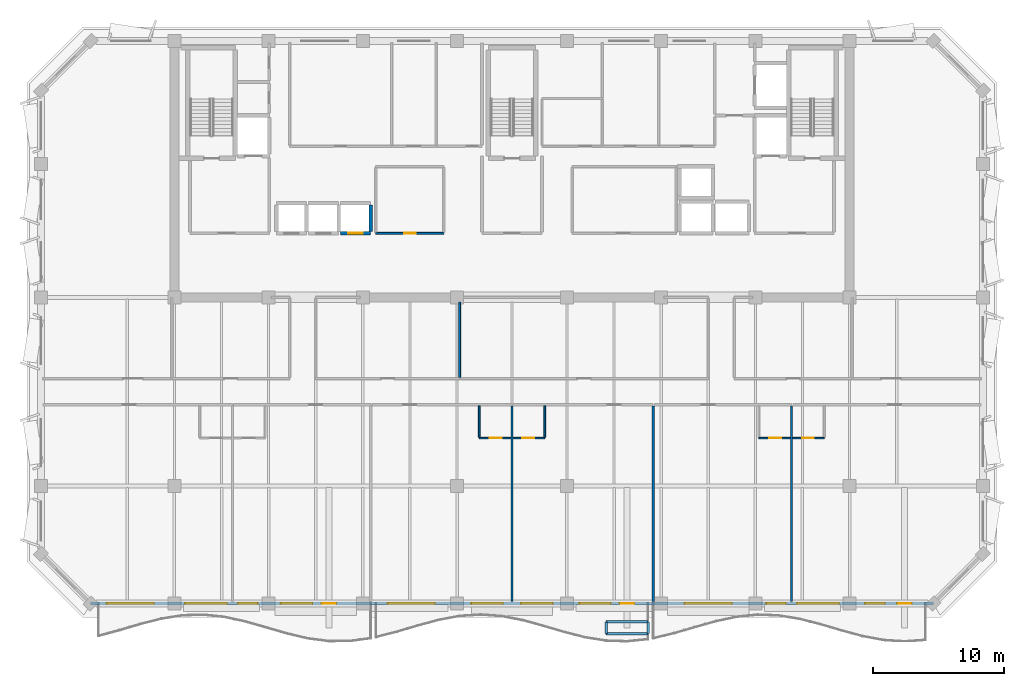
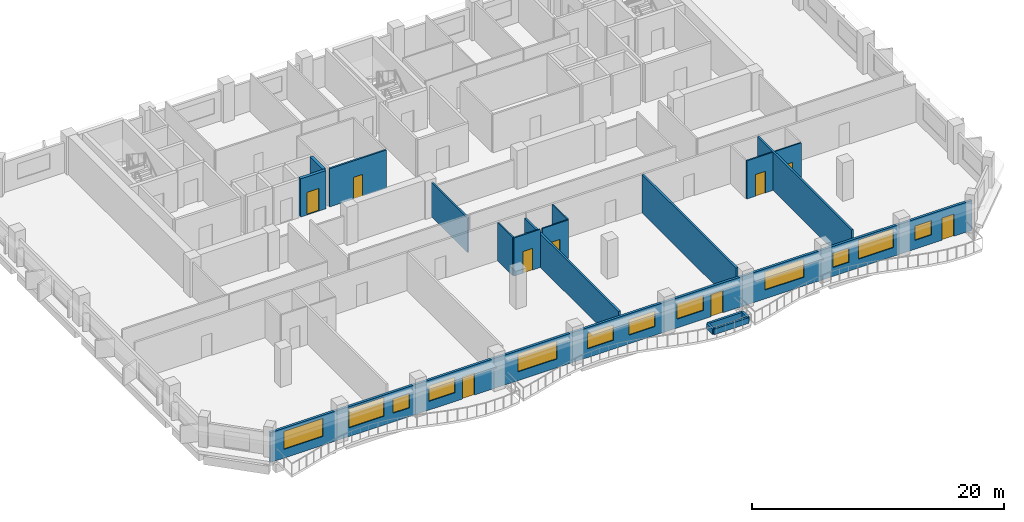
# One storey, part 4 of 10: 18 walls, 12 windows, 9 doors, 21 openings.
"""IFC4 building model written with IfcOpenShell, lengths in metres."""

from ifc_helpers import new_model, si_unit, direction, frame, frame_2d, origin, place, context, subcontext, project, spatial, rectangle, extrude, material, layer, layer_set, type_object, element, fill, save


model = new_model("IFC4")

# Units and contexts
model_context = context("Model", 3, precision=1e-05, world=origin(), true_north=direction((0.0, 1.0)))
body_context = subcontext(model_context, "Body", "Model", "MODEL_VIEW")
ifc_project = project(units=[si_unit("LENGTHUNIT", "METRE"), si_unit("AREAUNIT", "SQUARE_METRE"), si_unit("VOLUMEUNIT", "CUBIC_METRE"), si_unit("PLANEANGLEUNIT", "RADIAN"), si_unit("MASSUNIT", "GRAM", prefix="KILO")], contexts=[model_context])

# Site, building, storey
site_placement = place(None, origin())
site = spatial("IfcSite", under=ifc_project, at=site_placement, CompositionType="ELEMENT")
building_placement = place(site_placement, origin())
building = spatial("IfcBuilding", under=site, at=building_placement, Name="Kaelvorn Grand Hotel", CompositionType="ELEMENT")
storey_placement = place(building_placement, frame((0.0, 0.0, 260.75)))
storey = spatial("IfcBuildingStorey", under=building, at=storey_placement, Name="L64", CompositionType="ELEMENT", Elevation=260.75)

# Wall, openings, doors, windows
ifc_material_1 = material(Name="Concrete C40/50", Category="concrete")
ifc_layer_1 = layer(ifc_material_1, 0.219970703125)
ifc_layer_set_1 = layer_set([ifc_layer_1], Name="Concrete C40/50")
wall_type_1 = type_object("IfcWallType", Name="WL-EXT-220-C40", PredefinedType="SOLIDWALL", material=ifc_layer_set_1)
wall_1_placement = place(storey_placement, frame((9.800048828125, 6.0, 0.0), z_axis=(0.0, 0.0, 1.0), x_axis=(1.0, 0.0, 0.0)))
wall_1 = element("IfcWall", 1, at=wall_1_placement, inside=storey, type_object=wall_type_1, Name="L64 Exterior Architectural Concrete Wall 01", PredefinedType="SOLIDWALL", context=body_context, shape_type="SweptSolid", body=[
    extrude(rectangle(XDim=64.39990234375, YDim=0.219970703125, at=frame_2d((32.199951171875, 0.0))), origin(), (0.0, 0.0, 1.0), 2.909912109375),
])
opening_1_placement = place(wall_1_placement, frame((17.64990234375, 0.0, 0.0)))
opening_1 = element("IfcOpeningElement", 2, at=opening_1_placement, cuts=wall_1, Name="Opening DE2", PredefinedType="OPENING", context=body_context, shape_type="SweptSolid", body=[
    extrude(rectangle(XDim=1.10009765625, YDim=2.14990234375, at=frame_2d((0.550048828125, 1.074951171875))), frame((0.0, 0.1201171875, 0.0), z_axis=(0.0, -1.0, 0.0), x_axis=(1.0, 0.0, 0.0)), (0.0, 0.0, 1.0), 0.239990234375),
])
opening_2_placement = place(wall_1_placement, frame((40.449951171875, 0.0, 0.0)))
opening_2 = element("IfcOpeningElement", 3, at=opening_2_placement, cuts=wall_1, Name="Opening DE2", PredefinedType="OPENING", context=body_context, shape_type="SweptSolid", body=[
    extrude(rectangle(XDim=1.10009765625, YDim=2.14990234375, at=frame_2d((0.550048828125, 1.074951171875))), frame((0.0, 0.1201171875, 0.0), z_axis=(0.0, -1.0, 0.0), x_axis=(1.0, 0.0, 0.0)), (0.0, 0.0, 1.0), 0.239990234375),
])
opening_3_placement = place(wall_1_placement, frame((61.64990234375, 0.0, 0.0)))
opening_3 = element("IfcOpeningElement", 4, at=opening_3_placement, cuts=wall_1, Name="Opening DE2", PredefinedType="OPENING", context=body_context, shape_type="SweptSolid", body=[
    extrude(rectangle(XDim=1.10009765625, YDim=2.14990234375, at=frame_2d((0.550048828125, 1.074951171875))), frame((0.0, 0.1201171875, 0.0), z_axis=(0.0, -1.0, 0.0), x_axis=(1.0, 0.0, 0.0)), (0.0, 0.0, 1.0), 0.239990234375),
])
opening_4_placement = place(wall_1_placement, frame((1.235107421875, 0.0, 0.85009765625)))
opening_4 = element("IfcOpeningElement", 5, at=opening_4_placement, cuts=wall_1, Name="Opening W3", PredefinedType="OPENING", context=body_context, shape_type="SweptSolid", body=[
    extrude(rectangle(XDim=3.60009765625, YDim=1.75, at=frame_2d((1.800048828125, 0.875))), frame((0.0, 0.1201171875, 0.0), z_axis=(0.0, -1.0, 0.0), x_axis=(1.0, 0.0, 0.0)), (0.0, 0.0, 1.0), 0.239990234375),
])
opening_5_placement = place(wall_1_placement, frame((7.216552734375, 0.0, 0.85009765625)))
opening_5 = element("IfcOpeningElement", 6, at=opening_5_placement, cuts=wall_1, Name="Opening W4", PredefinedType="OPENING", context=body_context, shape_type="SweptSolid", body=[
    extrude(rectangle(XDim=3.199951171875, YDim=1.85009765625, at=frame_2d((1.60009765625, 0.925048828125))), frame((0.0, 0.1201171875, 0.0), z_axis=(0.0, -1.0, 0.0), x_axis=(1.0, 0.0, 0.0)), (0.0, 0.0, 1.0), 0.239990234375),
])
opening_6_placement = place(wall_1_placement, frame((11.2666015625, 0.0, 0.85009765625)))
opening_6 = element("IfcOpeningElement", 7, at=opening_6_placement, cuts=wall_1, Name="Opening W10", PredefinedType="OPENING", context=body_context, shape_type="SweptSolid", body=[
    extrude(rectangle(XDim=1.5, YDim=1.39990234375, at=frame_2d((0.75, 0.699951171875))), frame((0.0, 0.1201171875, 0.0), z_axis=(0.0, -1.0, 0.0), x_axis=(1.0, 0.0, 0.0)), (0.0, 0.0, 1.0), 0.239990234375),
])
opening_7_placement = place(wall_1_placement, frame((14.5400390625, 0.0, 0.85009765625)))
opening_7 = element("IfcOpeningElement", 8, at=opening_7_placement, cuts=wall_1, Name="Opening W6", PredefinedType="OPENING", context=body_context, shape_type="SweptSolid", body=[
    extrude(rectangle(XDim=2.39990234375, YDim=1.5, at=frame_2d((1.199951171875, 0.75))), frame((0.0, 0.1201171875, 0.0), z_axis=(0.0, -1.0, 0.0), x_axis=(1.0, 0.0, 0.0)), (0.0, 0.0, 1.0), 0.239990234375),
])
opening_8_placement = place(wall_1_placement, frame((22.70849609375, 0.0, 0.85009765625)))
opening_8 = element("IfcOpeningElement", 9, at=opening_8_placement, cuts=wall_1, Name="Opening W3", PredefinedType="OPENING", context=body_context, shape_type="SweptSolid", body=[
    extrude(rectangle(XDim=3.60009765625, YDim=1.75, at=frame_2d((1.800048828125, 0.875))), frame((0.0, 0.1201171875, 0.0), z_axis=(0.0, -1.0, 0.0), x_axis=(1.0, 0.0, 0.0)), (0.0, 0.0, 1.0), 0.239990234375),
])
opening_9_placement = place(wall_1_placement, frame((29.10009765625, 0.0, 0.85009765625)))
opening_9 = element("IfcOpeningElement", 10, at=opening_9_placement, cuts=wall_1, Name="Opening W6", PredefinedType="OPENING", context=body_context, shape_type="SweptSolid", body=[
    extrude(rectangle(XDim=2.39990234375, YDim=1.5, at=frame_2d((1.199951171875, 0.75))), frame((0.0, 0.1201171875, 0.0), z_axis=(0.0, -1.0, 0.0), x_axis=(1.0, 0.0, 0.0)), (0.0, 0.0, 1.0), 0.239990234375),
])
opening_10_placement = place(wall_1_placement, frame((32.89990234375, 0.0, 0.85009765625)))
opening_10 = element("IfcOpeningElement", 11, at=opening_10_placement, cuts=wall_1, Name="Opening W6", PredefinedType="OPENING", context=body_context, shape_type="SweptSolid", body=[
    extrude(rectangle(XDim=2.39990234375, YDim=1.5, at=frame_2d((1.199951171875, 0.75))), frame((0.0, 0.1201171875, 0.0), z_axis=(0.0, -1.0, 0.0), x_axis=(1.0, 0.0, 0.0)), (0.0, 0.0, 1.0), 0.239990234375),
])
opening_11_placement = place(wall_1_placement, frame((37.340087890625, 0.0, 0.85009765625)))
opening_11 = element("IfcOpeningElement", 12, at=opening_11_placement, cuts=wall_1, Name="Opening W6", PredefinedType="OPENING", context=body_context, shape_type="SweptSolid", body=[
    extrude(rectangle(XDim=2.39990234375, YDim=1.5, at=frame_2d((1.199951171875, 0.75))), frame((0.0, 0.1201171875, 0.0), z_axis=(0.0, -1.0, 0.0), x_axis=(1.0, 0.0, 0.0)), (0.0, 0.0, 1.0), 0.239990234375),
])
opening_12_placement = place(wall_1_placement, frame((45.39990234375, 0.0, 0.85009765625)))
opening_12 = element("IfcOpeningElement", 13, at=opening_12_placement, cuts=wall_1, Name="Opening W3", PredefinedType="OPENING", context=body_context, shape_type="SweptSolid", body=[
    extrude(rectangle(XDim=3.60009765625, YDim=1.75, at=frame_2d((1.800048828125, 0.875))), frame((0.0, 0.1201171875, 0.0), z_axis=(0.0, -1.0, 0.0), x_axis=(1.0, 0.0, 0.0)), (0.0, 0.0, 1.0), 0.239990234375),
])
opening_13_placement = place(wall_1_placement, frame((51.633544921875, 0.0, 0.85009765625)))
opening_13 = element("IfcOpeningElement", 14, at=opening_13_placement, cuts=wall_1, Name="Opening W10", PredefinedType="OPENING", context=body_context, shape_type="SweptSolid", body=[
    extrude(rectangle(XDim=1.5, YDim=1.39990234375, at=frame_2d((0.75, 0.699951171875))), frame((0.0, 0.1201171875, 0.0), z_axis=(0.0, -1.0, 0.0), x_axis=(1.0, 0.0, 0.0)), (0.0, 0.0, 1.0), 0.239990234375),
])
opening_14_placement = place(wall_1_placement, frame((53.9833984375, 0.0, 0.85009765625)))
opening_14 = element("IfcOpeningElement", 15, at=opening_14_placement, cuts=wall_1, Name="Opening W4", PredefinedType="OPENING", context=body_context, shape_type="SweptSolid", body=[
    extrude(rectangle(XDim=3.199951171875, YDim=1.85009765625, at=frame_2d((1.60009765625, 0.925048828125))), frame((0.0, 0.1201171875, 0.0), z_axis=(0.0, -1.0, 0.0), x_axis=(1.0, 0.0, 0.0)), (0.0, 0.0, 1.0), 0.239990234375),
])
opening_15_placement = place(wall_1_placement, frame((59.18994140625, 0.0, 0.85009765625)))
opening_15 = element("IfcOpeningElement", 16, at=opening_15_placement, cuts=wall_1, Name="Opening W10", PredefinedType="OPENING", context=body_context, shape_type="SweptSolid", body=[
    extrude(rectangle(XDim=1.5, YDim=1.39990234375, at=frame_2d((0.75, 0.699951171875))), frame((0.0, 0.1201171875, 0.0), z_axis=(0.0, -1.0, 0.0), x_axis=(1.0, 0.0, 0.0)), (0.0, 0.0, 1.0), 0.239990234375),
])
ifc_material_2 = material(Name="Anodised Aluminium", Category="aluminium")
door_type_1 = type_object("IfcDoorType", Name="DR-EXT-BALC-1100x2150", OperationType="NOTDEFINED", PredefinedType="DOOR", material=ifc_material_2)
door_1_placement = place(opening_1_placement, origin())
door_1 = element("IfcDoor", 17, at=door_1_placement, inside=storey, type_object=door_type_1, Name="L64 Scalloped Balcony Glazed Door DE2-1", OperationType="SINGLE_SWING_LEFT", OverallHeight=2.14990234375, OverallWidth=1.10009765625, PredefinedType="DOOR", context=body_context, shape_type="SweptSolid", body=[
    extrude(rectangle(XDim=1.10009765625, YDim=2.14990234375, at=frame_2d((0.550048828125, 1.074951171875))), frame((0.0, 0.02490234375, 0.0), z_axis=(0.0, -1.0, 0.0), x_axis=(1.0, 0.0, 0.0)), (0.0, 0.0, 1.0), 0.050048828125),
])
fill(opening_1, door_1)
door_2_placement = place(opening_2_placement, origin())
door_2 = element("IfcDoor", 18, at=door_2_placement, inside=storey, type_object=door_type_1, Name="L64 Scalloped Balcony Glazed Door DE2-2", OperationType="SINGLE_SWING_RIGHT", OverallHeight=2.14990234375, OverallWidth=1.10009765625, PredefinedType="DOOR", context=body_context, shape_type="SweptSolid", body=[
    extrude(rectangle(XDim=1.10009765625, YDim=2.14990234375, at=frame_2d((0.550048828125, 1.074951171875))), frame((0.0, 0.02490234375, 0.0), z_axis=(0.0, -1.0, 0.0), x_axis=(1.0, 0.0, 0.0)), (0.0, 0.0, 1.0), 0.050048828125),
])
fill(opening_2, door_2)
door_3_placement = place(opening_3_placement, origin())
door_3 = element("IfcDoor", 19, at=door_3_placement, inside=storey, type_object=door_type_1, Name="L64 Scalloped Balcony Glazed Door DE2-3", OperationType="SINGLE_SWING_LEFT", OverallHeight=2.14990234375, OverallWidth=1.10009765625, PredefinedType="DOOR", context=body_context, shape_type="SweptSolid", body=[
    extrude(rectangle(XDim=1.10009765625, YDim=2.14990234375, at=frame_2d((0.550048828125, 1.074951171875))), frame((0.0, 0.02490234375, 0.0), z_axis=(0.0, -1.0, 0.0), x_axis=(1.0, 0.0, 0.0)), (0.0, 0.0, 1.0), 0.050048828125),
])
fill(opening_3, door_3)
ifc_material_3 = material(Name="Laminated Low-E Glass", Category="glass")
window_type_1 = type_object("IfcWindowType", Name="WIN-COR-1500x1400", PartitioningType="SINGLE_PANEL", PredefinedType="WINDOW", material=ifc_material_3)
window_1_placement = place(opening_6_placement, origin())
window_1 = element("IfcWindow", 20, at=window_1_placement, inside=storey, type_object=window_type_1, Name="L64 South Guestroom Ribbon Window SR03", OverallHeight=1.39990234375, OverallWidth=1.5, PartitioningType="SINGLE_PANEL", PredefinedType="WINDOW", context=body_context, shape_type="SweptSolid", body=[
    extrude(rectangle(XDim=1.5, YDim=1.39990234375, at=frame_2d((0.75, 0.699951171875))), frame((0.0, 0.030029296875, 0.0), z_axis=(0.0, -1.0, 0.0), x_axis=(1.0, 0.0, 0.0)), (0.0, 0.0, 1.0), 0.06005859375),
])
fill(opening_6, window_1)
window_2_placement = place(opening_13_placement, origin())
window_2 = element("IfcWindow", 21, at=window_2_placement, inside=storey, type_object=window_type_1, Name="L64 South Guestroom Ribbon Window SR10", OverallHeight=1.39990234375, OverallWidth=1.5, PartitioningType="SINGLE_PANEL", PredefinedType="WINDOW", context=body_context, shape_type="SweptSolid", body=[
    extrude(rectangle(XDim=1.5, YDim=1.39990234375, at=frame_2d((0.75, 0.699951171875))), frame((0.0, 0.030029296875, 0.0), z_axis=(0.0, -1.0, 0.0), x_axis=(1.0, 0.0, 0.0)), (0.0, 0.0, 1.0), 0.06005859375),
])
fill(opening_13, window_2)
window_3_placement = place(opening_15_placement, origin())
window_3 = element("IfcWindow", 22, at=window_3_placement, inside=storey, type_object=window_type_1, Name="L64 South Guestroom Ribbon Window SR12", OverallHeight=1.39990234375, OverallWidth=1.5, PartitioningType="SINGLE_PANEL", PredefinedType="WINDOW", context=body_context, shape_type="SweptSolid", body=[
    extrude(rectangle(XDim=1.5, YDim=1.39990234375, at=frame_2d((0.75, 0.699951171875))), frame((0.0, 0.030029296875, 0.0), z_axis=(0.0, -1.0, 0.0), x_axis=(1.0, 0.0, 0.0)), (0.0, 0.0, 1.0), 0.06005859375),
])
fill(opening_15, window_3)
window_type_2 = type_object("IfcWindowType", Name="WIN-NTH-2400x1500", PartitioningType="SINGLE_PANEL", PredefinedType="WINDOW", material=ifc_material_3)
window_4_placement = place(opening_7_placement, origin())
window_4 = element("IfcWindow", 23, at=window_4_placement, inside=storey, type_object=window_type_2, Name="L64 South Guestroom Ribbon Window SR04", OverallHeight=1.5, OverallWidth=2.39990234375, PartitioningType="SINGLE_PANEL", PredefinedType="WINDOW", context=body_context, shape_type="SweptSolid", body=[
    extrude(rectangle(XDim=2.39990234375, YDim=1.5, at=frame_2d((1.199951171875, 0.75))), frame((0.0, 0.030029296875, 0.0), z_axis=(0.0, -1.0, 0.0), x_axis=(1.0, 0.0, 0.0)), (0.0, 0.0, 1.0), 0.06005859375),
])
fill(opening_7, window_4)
window_5_placement = place(opening_9_placement, origin())
window_5 = element("IfcWindow", 24, at=window_5_placement, inside=storey, type_object=window_type_2, Name="L64 South Guestroom Ribbon Window SR06", OverallHeight=1.5, OverallWidth=2.39990234375, PartitioningType="SINGLE_PANEL", PredefinedType="WINDOW", context=body_context, shape_type="SweptSolid", body=[
    extrude(rectangle(XDim=2.39990234375, YDim=1.5, at=frame_2d((1.199951171875, 0.75))), frame((0.0, 0.030029296875, 0.0), z_axis=(0.0, -1.0, 0.0), x_axis=(1.0, 0.0, 0.0)), (0.0, 0.0, 1.0), 0.06005859375),
])
fill(opening_9, window_5)
window_6_placement = place(opening_10_placement, origin())
window_6 = element("IfcWindow", 25, at=window_6_placement, inside=storey, type_object=window_type_2, Name="L64 South Guestroom Ribbon Window SR07", OverallHeight=1.5, OverallWidth=2.39990234375, PartitioningType="SINGLE_PANEL", PredefinedType="WINDOW", context=body_context, shape_type="SweptSolid", body=[
    extrude(rectangle(XDim=2.39990234375, YDim=1.5, at=frame_2d((1.199951171875, 0.75))), frame((0.0, 0.030029296875, 0.0), z_axis=(0.0, -1.0, 0.0), x_axis=(1.0, 0.0, 0.0)), (0.0, 0.0, 1.0), 0.06005859375),
])
fill(opening_10, window_6)
window_7_placement = place(opening_11_placement, origin())
window_7 = element("IfcWindow", 26, at=window_7_placement, inside=storey, type_object=window_type_2, Name="L64 South Guestroom Ribbon Window SR08", OverallHeight=1.5, OverallWidth=2.39990234375, PartitioningType="SINGLE_PANEL", PredefinedType="WINDOW", context=body_context, shape_type="SweptSolid", body=[
    extrude(rectangle(XDim=2.39990234375, YDim=1.5, at=frame_2d((1.199951171875, 0.75))), frame((0.0, 0.030029296875, 0.0), z_axis=(0.0, -1.0, 0.0), x_axis=(1.0, 0.0, 0.0)), (0.0, 0.0, 1.0), 0.06005859375),
])
fill(opening_11, window_7)
window_type_3 = type_object("IfcWindowType", Name="WIN-RIB-3200x1850", PartitioningType="SINGLE_PANEL", PredefinedType="WINDOW", material=ifc_material_3)
window_8_placement = place(opening_5_placement, origin())
window_8 = element("IfcWindow", 27, at=window_8_placement, inside=storey, type_object=window_type_3, Name="L64 South Guestroom Ribbon Window SR02", OverallHeight=1.85009765625, OverallWidth=3.199951171875, PartitioningType="SINGLE_PANEL", PredefinedType="WINDOW", context=body_context, shape_type="SweptSolid", body=[
    extrude(rectangle(XDim=3.199951171875, YDim=1.85009765625, at=frame_2d((1.60009765625, 0.925048828125))), frame((0.0, 0.030029296875, 0.0), z_axis=(0.0, -1.0, 0.0), x_axis=(1.0, 0.0, 0.0)), (0.0, 0.0, 1.0), 0.06005859375),
])
fill(opening_5, window_8)
window_9_placement = place(opening_14_placement, origin())
window_9 = element("IfcWindow", 28, at=window_9_placement, inside=storey, type_object=window_type_3, Name="L64 South Guestroom Ribbon Window SR11", OverallHeight=1.85009765625, OverallWidth=3.199951171875, PartitioningType="SINGLE_PANEL", PredefinedType="WINDOW", context=body_context, shape_type="SweptSolid", body=[
    extrude(rectangle(XDim=3.199951171875, YDim=1.85009765625, at=frame_2d((1.60009765625, 0.925048828125))), frame((0.0, 0.030029296875, 0.0), z_axis=(0.0, -1.0, 0.0), x_axis=(1.0, 0.0, 0.0)), (0.0, 0.0, 1.0), 0.06005859375),
])
fill(opening_14, window_9)
window_type_4 = type_object("IfcWindowType", Name="WIN-RIB-3600x1750", PartitioningType="SINGLE_PANEL", PredefinedType="WINDOW", material=ifc_material_3)
window_10_placement = place(opening_4_placement, origin())
window_10 = element("IfcWindow", 29, at=window_10_placement, inside=storey, type_object=window_type_4, Name="L64 South Guestroom Ribbon Window SR01", OverallHeight=1.75, OverallWidth=3.60009765625, PartitioningType="SINGLE_PANEL", PredefinedType="WINDOW", context=body_context, shape_type="SweptSolid", body=[
    extrude(rectangle(XDim=3.60009765625, YDim=1.75, at=frame_2d((1.800048828125, 0.875))), frame((0.0, 0.030029296875, 0.0), z_axis=(0.0, -1.0, 0.0), x_axis=(1.0, 0.0, 0.0)), (0.0, 0.0, 1.0), 0.06005859375),
])
fill(opening_4, window_10)
window_11_placement = place(opening_8_placement, origin())
window_11 = element("IfcWindow", 30, at=window_11_placement, inside=storey, type_object=window_type_4, Name="L64 South Guestroom Ribbon Window SR05", OverallHeight=1.75, OverallWidth=3.60009765625, PartitioningType="SINGLE_PANEL", PredefinedType="WINDOW", context=body_context, shape_type="SweptSolid", body=[
    extrude(rectangle(XDim=3.60009765625, YDim=1.75, at=frame_2d((1.800048828125, 0.875))), frame((0.0, 0.030029296875, 0.0), z_axis=(0.0, -1.0, 0.0), x_axis=(1.0, 0.0, 0.0)), (0.0, 0.0, 1.0), 0.06005859375),
])
fill(opening_8, window_11)
window_12_placement = place(opening_12_placement, origin())
window_12 = element("IfcWindow", 31, at=window_12_placement, inside=storey, type_object=window_type_4, Name="L64 South Guestroom Ribbon Window SR09", OverallHeight=1.75, OverallWidth=3.60009765625, PartitioningType="SINGLE_PANEL", PredefinedType="WINDOW", context=body_context, shape_type="SweptSolid", body=[
    extrude(rectangle(XDim=3.60009765625, YDim=1.75, at=frame_2d((1.800048828125, 0.875))), frame((0.0, 0.030029296875, 0.0), z_axis=(0.0, -1.0, 0.0), x_axis=(1.0, 0.0, 0.0)), (0.0, 0.0, 1.0), 0.06005859375),
])
fill(opening_12, window_12)

# Wall, opening, door
ifc_material_4 = material(Name="Moisture-Resistant Tile & Stud Board")
ifc_layer_2 = layer(ifc_material_4, 0.125)
ifc_layer_set_2 = layer_set([ifc_layer_2], Name="Moisture-Resistant Tile & Stud Board")
wall_type_2 = type_object("IfcWallType", Name="WL-PART-125-WET", PredefinedType="PARTITIONING", material=ifc_layer_set_2)
wall_2_placement = place(storey_placement, frame((39.5, 18.64990234375, 0.0), z_axis=(0.0, 0.0, 1.0), x_axis=(1.0, 0.0, 0.0)))
wall_2 = element("IfcWall", 32, at=wall_2_placement, inside=storey, type_object=wall_type_2, Name="L64 En-suite Bathroom L64-03 S Partition", PredefinedType="PARTITIONING", context=body_context, shape_type="SweptSolid", body=[
    extrude(rectangle(XDim=2.405029296875, YDim=0.125, at=frame_2d((1.20263671875, 0.0))), origin(), (0.0, 0.0, 1.0), 3.7099609375),
])
opening_16_placement = place(wall_2_placement, frame((0.800048828125, 0.0, 0.0)))
opening_16 = element("IfcOpeningElement", 33, at=opening_16_placement, cuts=wall_2, Name="Opening DI4", PredefinedType="OPENING", context=body_context, shape_type="SweptSolid", body=[
    extrude(rectangle(XDim=0.89990234375, YDim=2.10009765625, at=frame_2d((0.449951171875, 1.050048828125))), frame((0.0, 0.072509765625, 0.0), z_axis=(0.0, -1.0, 0.0), x_axis=(1.0, 0.0, 0.0)), (0.0, 0.0, 1.0), 0.14501953125),
])
ifc_material_5 = material(Name="Timber Veneer Leaf", Category="wood")
door_type_2 = type_object("IfcDoorType", Name="DR-INT-BATH-900x2100", OperationType="NOTDEFINED", PredefinedType="DOOR", material=ifc_material_5)
door_4_placement = place(opening_16_placement, origin())
door_4 = element("IfcDoor", 34, at=door_4_placement, inside=storey, type_object=door_type_2, Name="L64 En-suite Bathroom L64-03 Door", OperationType="SINGLE_SWING_RIGHT", OverallHeight=2.10009765625, OverallWidth=0.89990234375, PredefinedType="DOOR", context=body_context, shape_type="SweptSolid", body=[
    extrude(rectangle(XDim=0.89990234375, YDim=2.10009765625, at=frame_2d((0.449951171875, 1.050048828125))), frame((0.0, 0.02490234375, 0.0), z_axis=(0.0, -1.0, 0.0), x_axis=(1.0, 0.0, 0.0)), (0.0, 0.0, 1.0), 0.050048828125),
])
fill(opening_16, door_4)

# Wall
wall_3_placement = place(storey_placement, frame((39.5, 18.717529296875, 0.0), z_axis=(0.0, 0.0, 1.0), x_axis=(0.0, 1.0, 0.0)))
element("IfcWall", 35, at=wall_3_placement, inside=storey, type_object=wall_type_2, Name="L64 En-suite Bathroom L64-03 W Partition", PredefinedType="PARTITIONING", context=body_context, shape_type="SweptSolid", body=[
    extrude(rectangle(XDim=2.387451171875, YDim=0.125, at=frame_2d((1.19384765625, 0.0))), origin(), (0.0, 0.0, 1.0), 3.7099609375),
])

# Wall, opening, door
wall_4_placement = place(storey_placement, frame((42.094970703125, 18.64990234375, 0.0), z_axis=(0.0, 0.0, 1.0), x_axis=(1.0, 0.0, 0.0)))
wall_4 = element("IfcWall", 36, at=wall_4_placement, inside=storey, type_object=wall_type_2, Name="L64 En-suite Bathroom L64-04 S Partition", PredefinedType="PARTITIONING", context=body_context, shape_type="SweptSolid", body=[
    extrude(rectangle(XDim=2.405029296875, YDim=0.125, at=frame_2d((1.20263671875, 0.0))), origin(), (0.0, 0.0, 1.0), 3.7099609375),
])
opening_17_placement = place(wall_4_placement, frame((0.705078125, 0.0, 0.0)))
opening_17 = element("IfcOpeningElement", 37, at=opening_17_placement, cuts=wall_4, Name="Opening DI4", PredefinedType="OPENING", context=body_context, shape_type="SweptSolid", body=[
    extrude(rectangle(XDim=0.89990234375, YDim=2.10009765625, at=frame_2d((0.449951171875, 1.050048828125))), frame((0.0, 0.072509765625, 0.0), z_axis=(0.0, -1.0, 0.0), x_axis=(1.0, 0.0, 0.0)), (0.0, 0.0, 1.0), 0.14501953125),
])
door_5_placement = place(opening_17_placement, origin())
door_5 = element("IfcDoor", 38, at=door_5_placement, inside=storey, type_object=door_type_2, Name="L64 En-suite Bathroom L64-04 Door", OperationType="SINGLE_SWING_RIGHT", OverallHeight=2.10009765625, OverallWidth=0.89990234375, PredefinedType="DOOR", context=body_context, shape_type="SweptSolid", body=[
    extrude(rectangle(XDim=0.89990234375, YDim=2.10009765625, at=frame_2d((0.449951171875, 1.050048828125))), frame((0.0, 0.02490234375, 0.0), z_axis=(0.0, -1.0, 0.0), x_axis=(1.0, 0.0, 0.0)), (0.0, 0.0, 1.0), 0.050048828125),
])
fill(opening_17, door_5)

# Wall
wall_5_placement = place(storey_placement, frame((44.5, 18.717529296875, 0.0), z_axis=(0.0, 0.0, 1.0), x_axis=(0.0, 1.0, 0.0)))
element("IfcWall", 39, at=wall_5_placement, inside=storey, type_object=wall_type_2, Name="L64 En-suite Bathroom L64-04 E Partition", PredefinedType="PARTITIONING", context=body_context, shape_type="SweptSolid", body=[
    extrude(rectangle(XDim=2.387451171875, YDim=0.125, at=frame_2d((1.19384765625, 0.0))), origin(), (0.0, 0.0, 1.0), 3.7099609375),
])

# Wall, opening, door
wall_6_placement = place(storey_placement, frame((60.86669921875, 18.64990234375, 0.0), z_axis=(0.0, 0.0, 1.0), x_axis=(1.0, 0.0, 0.0)))
wall_6 = element("IfcWall", 40, at=wall_6_placement, inside=storey, type_object=wall_type_2, Name="L64 En-suite Bathroom L64-05 S Partition", PredefinedType="PARTITIONING", context=body_context, shape_type="SweptSolid", body=[
    extrude(rectangle(XDim=2.40478515625, YDim=0.125, at=frame_2d((1.202392578125, 0.0))), origin(), (0.0, 0.0, 1.0), 3.7099609375),
])
opening_18_placement = place(wall_6_placement, frame((0.800048828125, 0.0, 0.0)))
opening_18 = element("IfcOpeningElement", 41, at=opening_18_placement, cuts=wall_6, Name="Opening DI4", PredefinedType="OPENING", context=body_context, shape_type="SweptSolid", body=[
    extrude(rectangle(XDim=0.89990234375, YDim=2.10009765625, at=frame_2d((0.449951171875, 1.050048828125))), frame((0.0, 0.072509765625, 0.0), z_axis=(0.0, -1.0, 0.0), x_axis=(1.0, 0.0, 0.0)), (0.0, 0.0, 1.0), 0.14501953125),
])
door_6_placement = place(opening_18_placement, origin())
door_6 = element("IfcDoor", 42, at=door_6_placement, inside=storey, type_object=door_type_2, Name="L64 En-suite Bathroom L64-05 Door", OperationType="SINGLE_SWING_RIGHT", OverallHeight=2.10009765625, OverallWidth=0.89990234375, PredefinedType="DOOR", context=body_context, shape_type="SweptSolid", body=[
    extrude(rectangle(XDim=0.89990234375, YDim=2.10009765625, at=frame_2d((0.449951171875, 1.050048828125))), frame((0.0, 0.02490234375, 0.0), z_axis=(0.0, -1.0, 0.0), x_axis=(1.0, 0.0, 0.0)), (0.0, 0.0, 1.0), 0.050048828125),
])
fill(opening_18, door_6)

wall_7_placement = place(storey_placement, frame((63.461669921875, 18.64990234375, 0.0), z_axis=(0.0, 0.0, 1.0), x_axis=(1.0, 0.0, 0.0)))
wall_7 = element("IfcWall", 43, at=wall_7_placement, inside=storey, type_object=wall_type_2, Name="L64 En-suite Bathroom L64-06 S Partition", PredefinedType="PARTITIONING", context=body_context, shape_type="SweptSolid", body=[
    extrude(rectangle(XDim=2.405029296875, YDim=0.125, at=frame_2d((1.20263671875, 0.0))), origin(), (0.0, 0.0, 1.0), 3.7099609375),
])
opening_19_placement = place(wall_7_placement, frame((0.705078125, 0.0, 0.0)))
opening_19 = element("IfcOpeningElement", 44, at=opening_19_placement, cuts=wall_7, Name="Opening DI4", PredefinedType="OPENING", context=body_context, shape_type="SweptSolid", body=[
    extrude(rectangle(XDim=0.89990234375, YDim=2.10009765625, at=frame_2d((0.449951171875, 1.050048828125))), frame((0.0, 0.072509765625, 0.0), z_axis=(0.0, -1.0, 0.0), x_axis=(1.0, 0.0, 0.0)), (0.0, 0.0, 1.0), 0.14501953125),
])
door_7_placement = place(opening_19_placement, origin())
door_7 = element("IfcDoor", 45, at=door_7_placement, inside=storey, type_object=door_type_2, Name="L64 En-suite Bathroom L64-06 Door", OperationType="SINGLE_SWING_RIGHT", OverallHeight=2.10009765625, OverallWidth=0.89990234375, PredefinedType="DOOR", context=body_context, shape_type="SweptSolid", body=[
    extrude(rectangle(XDim=0.89990234375, YDim=2.10009765625, at=frame_2d((0.449951171875, 1.050048828125))), frame((0.0, 0.02490234375, 0.0), z_axis=(0.0, -1.0, 0.0), x_axis=(1.0, 0.0, 0.0)), (0.0, 0.0, 1.0), 0.050048828125),
])
fill(opening_19, door_7)

ifc_material_6 = material(Name="Acoustic Gypsum & Stud Partition")
ifc_layer_3 = layer(ifc_material_6, 0.14990234375)
ifc_layer_set_3 = layer_set([ifc_layer_3], Name="Acoustic Gypsum & Stud Partition")
wall_type_3 = type_object("IfcWallType", Name="WL-PART-150-EI60", PredefinedType="PARTITIONING", material=ifc_layer_set_3)
wall_8_placement = place(storey_placement, frame((31.60009765625, 34.300048828125, 0.0), z_axis=(0.0, 0.0, 1.0), x_axis=(1.0, 0.0, 0.0)))
wall_8 = element("IfcWall", 46, at=wall_8_placement, inside=storey, type_object=wall_type_3, Name="L64 Core Telecoms & BMS Server Room S Partition", PredefinedType="PARTITIONING", context=body_context, shape_type="SweptSolid", body=[
    extrude(rectangle(XDim=5.199951171875, YDim=0.14990234375, at=frame_2d((2.60009765625, 0.0))), origin(), (0.0, 0.0, 1.0), 3.7099609375),
])
opening_20_placement = place(wall_8_placement, frame((2.175048828125, 0.0, 0.0)))
opening_20 = element("IfcOpeningElement", 47, at=opening_20_placement, cuts=wall_8, Name="Opening DI7", PredefinedType="OPENING", context=body_context, shape_type="SweptSolid", body=[
    extrude(rectangle(XDim=0.85009765625, YDim=2.10009765625, at=frame_2d((0.425048828125, 1.050048828125))), frame((0.0, 0.0849609375, 0.0), z_axis=(0.0, -1.0, 0.0), x_axis=(1.0, 0.0, 0.0)), (0.0, 0.0, 1.0), 0.169921875),
])
ifc_material_7 = material(Name="Powder-Coated Steel Leaf", Category="steel")
door_type_3 = type_object("IfcDoorType", Name="DR-INT-RISER-850x2100", OperationType="NOTDEFINED", PredefinedType="DOOR", material=ifc_material_7)
door_8_placement = place(opening_20_placement, origin())
door_8 = element("IfcDoor", 48, at=door_8_placement, inside=storey, type_object=door_type_3, Name="L64 Core Telecoms & BMS Server Room Door", OperationType="SINGLE_SWING_LEFT", OverallHeight=2.10009765625, OverallWidth=0.85009765625, PredefinedType="DOOR", context=body_context, shape_type="SweptSolid", body=[
    extrude(rectangle(XDim=0.85009765625, YDim=2.10009765625, at=frame_2d((0.425048828125, 1.050048828125))), frame((0.0, 0.02490234375, 0.0), z_axis=(0.0, -1.0, 0.0), x_axis=(1.0, 0.0, 0.0)), (0.0, 0.0, 1.0), 0.050048828125),
])
fill(opening_20, door_8)

# Walls
wall_9_placement = place(storey_placement, frame((38.0, 23.280029296875, 0.0), z_axis=(0.0, 0.0, 1.0), x_axis=(0.0, 1.0, 0.0)))
element("IfcWall", 49, at=wall_9_placement, inside=storey, type_object=wall_type_3, Name="L64 Chef Finishing Kitchen E Partition", PredefinedType="PARTITIONING", context=body_context, shape_type="SweptSolid", body=[
    extrude(rectangle(XDim=5.764892578125, YDim=0.14990234375, at=frame_2d((2.88232421875, 0.0))), origin(), (0.0, 0.0, 1.0), 3.35009765625),
])
ifc_layer_4 = layer(ifc_material_6, 0.179931640625)
ifc_layer_set_4 = layer_set([ifc_layer_4], Name="Acoustic Gypsum & Stud Partition")
wall_type_4 = type_object("IfcWallType", Name="WL-PART-180-EI60", PredefinedType="PARTITIONING", material=ifc_layer_set_4)
wall_10_placement = place(storey_placement, frame((42.0, 6.14990234375, 0.0), z_axis=(0.0, 0.0, 1.0), x_axis=(0.0, 1.0, 0.0)))
element("IfcWall", 50, at=wall_10_placement, inside=storey, type_object=wall_type_4, Name="L64 Ambassador Junior Suite L64-03 E Partition", PredefinedType="PARTITIONING", context=body_context, shape_type="SweptSolid", body=[
    extrude(rectangle(XDim=14.955078125, YDim=0.179931640625, at=frame_2d((7.4775390625, 0.0))), origin(), (0.0, 0.0, 1.0), 3.260009765625),
])
for number, where, z_axis, x_axis, name in (
    (51, (52.783203125, 6.14990234375, 0.0), (0.0, 0.0, 1.0), (0.0, 1.0, 0.0), "L64 Ambassador Junior Suite L64-04 E Partition"),
    (52, (63.36669921875, 6.14990234375, 0.0), (0.0, 0.0, 1.0), (0.0, 1.0, 0.0), "L64 Ambassador Junior Suite L64-05 E Partition"),
):
    element("IfcWall", number, at=place(storey_placement, frame(where, z_axis=z_axis, x_axis=x_axis)), inside=storey, type_object=wall_type_4, Name=name, PredefinedType="PARTITIONING", context=body_context, shape_type="SweptSolid", body=[
        extrude(rectangle(XDim=14.955078125, YDim=0.179931640625, at=frame_2d((7.4775390625, 0.0))), origin(), (0.0, 0.0, 1.0), 3.7099609375),
    ])

# Wall, opening, door
ifc_material_8 = material(Name="Concrete C50/60", Category="concrete")
ifc_layer_5 = layer(ifc_material_8, 0.280029296875)
ifc_layer_set_5 = layer_set([ifc_layer_5], Name="Concrete C50/60")
wall_type_5 = type_object("IfcWallType", Name="WL-SHAFT-280-C50", PredefinedType="SHEAR", material=ifc_layer_set_5)
wall_11_placement = place(storey_placement, frame((28.89990234375, 34.300048828125, 0.0), z_axis=(0.0, 0.0, 1.0), x_axis=(1.0, 0.0, 0.0)))
wall_11 = element("IfcWall", 53, at=wall_11_placement, inside=storey, type_object=wall_type_5, Name="L64 Lift PL-H3 Shaft South Wall", PredefinedType="SHEAR", context=body_context, shape_type="SweptSolid", body=[
    extrude(rectangle(XDim=2.300048828125, YDim=0.280029296875, at=frame_2d((1.14990234375, 0.0))), origin(), (0.0, 0.0, 1.0), 3.7099609375),
])
opening_21_placement = place(wall_11_placement, frame((0.60009765625, 0.0, 0.0)))
opening_21 = element("IfcOpeningElement", 54, at=opening_21_placement, cuts=wall_11, Name="Opening LD-PL-H3", PredefinedType="OPENING", context=body_context, shape_type="SweptSolid", body=[
    extrude(rectangle(XDim=1.10009765625, YDim=2.199951171875, at=frame_2d((0.550048828125, 1.10009765625))), frame((0.0, 0.14990234375, 0.0), z_axis=(0.0, -1.0, 0.0), x_axis=(1.0, 0.0, 0.0)), (0.0, 0.0, 1.0), 0.300048828125),
])
ifc_material_9 = material(Name="Stainless Steel", Category="steel")
door_type_4 = type_object("IfcDoorType", Name="DR-LIFT-PASS-1100x2200", OperationType="DOUBLE_DOOR_SLIDING", PredefinedType="DOOR", material=ifc_material_9)
door_9_placement = place(opening_21_placement, origin())
door_9 = element("IfcDoor", 55, at=door_9_placement, inside=storey, type_object=door_type_4, Name="L64 Lift PL-H3 Sliding Landing Door LD-PL-H3", OperationType="DOUBLE_DOOR_SLIDING", OverallHeight=2.199951171875, OverallWidth=1.10009765625, PredefinedType="DOOR", context=body_context, shape_type="SweptSolid", body=[
    extrude(rectangle(XDim=1.10009765625, YDim=2.199951171875, at=frame_2d((0.550048828125, 1.10009765625))), frame((0.0, 0.02490234375, 0.0), z_axis=(0.0, -1.0, 0.0), x_axis=(1.0, 0.0, 0.0)), (0.0, 0.0, 1.0), 0.050048828125),
])
fill(opening_21, door_9)

# Walls
wall_12_placement = place(storey_placement, frame((31.199951171875, 34.445068359375, 0.0), z_axis=(0.0, 0.0, 1.0), x_axis=(0.0, 1.0, 0.0)))
element("IfcWall", 56, at=wall_12_placement, inside=storey, type_object=wall_type_5, Name="L64 Lift PL-H3 Shaft East Wall", PredefinedType="SHEAR", context=body_context, shape_type="SweptSolid", body=[
    extrude(rectangle(XDim=2.010009765625, YDim=0.280029296875, at=frame_2d((1.0048828125, 0.0))), origin(), (0.0, 0.0, 1.0), 3.7099609375),
])
ifc_layer_6 = layer(ifc_material_1, 0.199951171875)
ifc_layer_set_6 = layer_set([ifc_layer_6], Name="Concrete C40/50")
wall_type_6 = type_object("IfcWallType", Name="WL-TREE-PLANTER-200", PredefinedType="PARAPET", material=ifc_layer_set_6)
wall_13_placement = place(storey_placement, frame((49.199951171875, 3.699951171875, 0.0), z_axis=(0.0, 0.0, 1.0), x_axis=(1.0, 0.0, 0.0)))
element("IfcWall", 57, at=wall_13_placement, inside=storey, type_object=wall_type_6, Name="L64 Planted Balcony Structural TREE PLANTER Kerb 1-S", PredefinedType="PARAPET", context=body_context, shape_type="SweptSolid", body=[
    extrude(rectangle(XDim=3.199951171875, YDim=0.199951171875, at=frame_2d((1.60009765625, 0.0))), origin(), (0.0, 0.0, 1.0), 0.550048828125),
])
wall_14_placement = place(storey_placement, frame((52.39990234375, 3.699951171875, 0.0), z_axis=(0.0, 0.0, 1.0), x_axis=(0.0, 1.0, 0.0)))
element("IfcWall", 58, at=wall_14_placement, inside=storey, type_object=wall_type_6, Name="L64 Planted Balcony Structural TREE PLANTER Kerb 1-E", PredefinedType="PARAPET", context=body_context, shape_type="SweptSolid", body=[
    extrude(rectangle(XDim=0.900146484375, YDim=0.199951171875, at=frame_2d((0.4501953125, 0.0))), origin(), (0.0, 0.0, 1.0), 0.550048828125),
])
wall_15_placement = place(storey_placement, frame((52.39990234375, 4.60009765625, 0.0), z_axis=(0.0, 0.0, 1.0), x_axis=(-1.0, 0.0, 0.0)))
element("IfcWall", 59, at=wall_15_placement, inside=storey, type_object=wall_type_6, Name="L64 Planted Balcony Structural TREE PLANTER Kerb 1-N", PredefinedType="PARAPET", context=body_context, shape_type="SweptSolid", body=[
    extrude(rectangle(XDim=3.199951171875, YDim=0.199951171875, at=frame_2d((1.60009765625, 0.0))), origin(), (0.0, 0.0, 1.0), 0.550048828125),
])
wall_16_placement = place(storey_placement, frame((49.199951171875, 4.60009765625, 0.0), z_axis=(0.0, 0.0, 1.0), x_axis=(0.0, -1.0, 0.0)))
element("IfcWall", 60, at=wall_16_placement, inside=storey, type_object=wall_type_6, Name="L64 Planted Balcony Structural TREE PLANTER Kerb 1-W", PredefinedType="PARAPET", context=body_context, shape_type="SweptSolid", body=[
    extrude(rectangle(XDim=0.900146484375, YDim=0.199951171875, at=frame_2d((0.4501953125, 0.0))), origin(), (0.0, 0.0, 1.0), 0.550048828125),
])

save(model, "model.ifc")
